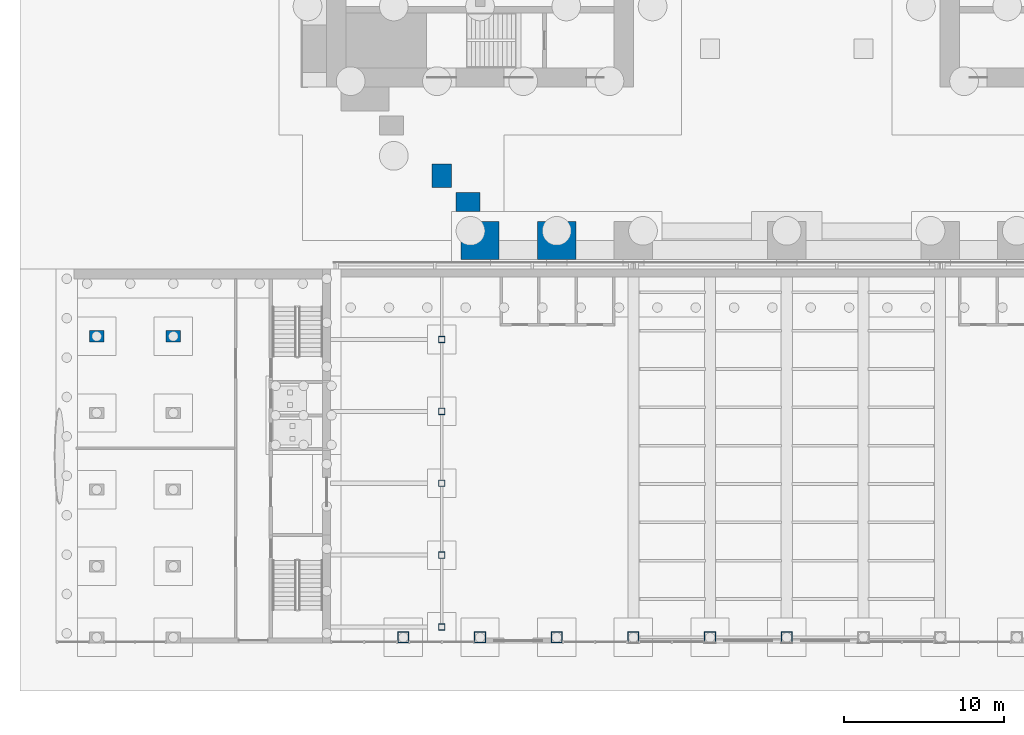
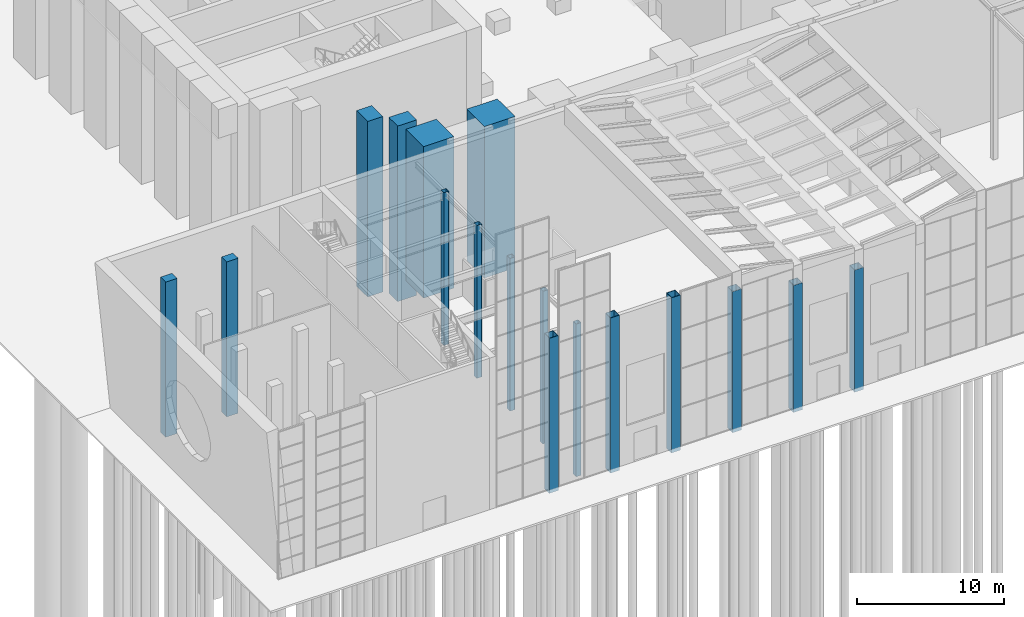
# One storey, part 4 of 58: 17 columns.
"""IFC4 building model written with IfcOpenShell, lengths in metres."""

from ifc_helpers import new_model, si_unit, direction, frame, origin, origin_2d, place, context, subcontext, project, spatial, rectangle, hollow_rectangle, extrude, material, material_profile, profile_set, type_object, element, save


model = new_model("IFC4")

# Units and contexts
model_context = context("Model", 3, precision=1e-05, world=origin(), true_north=direction((0.0, 1.0)))
body_context = subcontext(model_context, "Body", "Model", "MODEL_VIEW")
ifc_project = project(units=[si_unit("LENGTHUNIT", "METRE"), si_unit("AREAUNIT", "SQUARE_METRE"), si_unit("VOLUMEUNIT", "CUBIC_METRE"), si_unit("PLANEANGLEUNIT", "RADIAN"), si_unit("MASSUNIT", "GRAM", prefix="KILO")], contexts=[model_context])

# Site, building, storey
site_placement = place(None, origin())
site = spatial("IfcSite", under=ifc_project, at=site_placement, CompositionType="ELEMENT")
building_placement = place(site_placement, origin())
building = spatial("IfcBuilding", under=site, at=building_placement, Name="Baori Bourse Tower", CompositionType="ELEMENT")
storey_placement = place(building_placement, origin())
storey = spatial("IfcBuildingStorey", under=building, at=storey_placement, Name="L00", CompositionType="ELEMENT", Elevation=0.0)

# Columns
ifc_material_1 = material(Name="Concrete f'c 60 MPa", Category="concrete")
ifc_material_profile_1 = material_profile(ifc_material_1, rectangle(XDim=1.199951171875, YDim=1.5, at=origin_2d()), Name="RC 1200x1500")
ifc_profile_set_1 = profile_set([ifc_material_profile_1], Name="Concrete f'c 60 MPa")
column_type_1 = type_object("IfcColumnType", Name="FN2 Brick pilaster", PredefinedType="PILASTER", material=ifc_profile_set_1)
for number, where, z_axis, x_axis, name in (
    (1, (7.199951171875, 4.050048828125, -2.0), (0.0, 0.0, 1.0), (1.0, 0.0, 0.0), "Brick pilaster L00 24"),
    (2, (8.85009765625, 2.39990234375, -2.0), (0.0, 0.0, 1.0), (0.0, 1.0, 0.0), "Brick pilaster L00 25"),
):
    element("IfcColumn", number, at=place(storey_placement, frame(where, z_axis=z_axis, x_axis=x_axis)), inside=storey, type_object=column_type_1, Name=name, PredefinedType="PILASTER", context=body_context, shape_type="SweptSolid", body=[
        extrude(rectangle(XDim=1.199951171875, YDim=1.5, at=origin_2d()), origin(), (0.0, 0.0, 1.0), 14.60009765625),
    ])
ifc_material_2 = material(Name="Steel A500 Gr C", Category="steel")
ifc_material_profile_2 = material_profile(ifc_material_2, hollow_rectangle(XDim=0.39990234375, YDim=0.39990234375, WallThickness=0.01611328125, OuterFilletRadius=0.031982421875, at=origin_2d()), Name="HSS400x400x16")
ifc_profile_set_2 = profile_set([ifc_material_profile_2], Name="Steel A500 Gr C")
column_type_2 = type_object("IfcColumnType", Name="Gallery column 400", PredefinedType="COLUMN", material=ifc_profile_set_2)
for number, where, z_axis, x_axis, name in (
    (3, (7.199951171875, -24.199951171875, -0.300048828125), (0.0, 0.0, 1.0), (1.0, 0.0, 0.0), "wing/L00/galcol/001"),
    (4, (7.199951171875, -19.699951171875, -0.300048828125), (0.0, 0.0, 1.0), (1.0, 0.0, 0.0), "wing/L00/galcol/002"),
    (5, (7.199951171875, -15.199951171875, -0.300048828125), (0.0, 0.0, 1.0), (1.0, 0.0, 0.0), "wing/L00/galcol/003"),
    (6, (7.199951171875, -10.699951171875, -0.300048828125), (0.0, 0.0, 1.0), (1.0, 0.0, 0.0), "wing/L00/galcol/004"),
    (7, (7.199951171875, -6.199951171875, -0.300048828125), (0.0, 0.0, 1.0), (1.0, 0.0, 0.0), "wing/L00/galcol/005"),
):
    element("IfcColumn", number, at=place(storey_placement, frame(where, z_axis=z_axis, x_axis=x_axis)), inside=storey, type_object=column_type_2, Name=name, PredefinedType="COLUMN", context=body_context, shape_type="SweptSolid", body=[
        extrude(hollow_rectangle(XDim=0.39990234375, YDim=0.39990234375, WallThickness=0.01611328125, OuterFilletRadius=0.031982421875, at=origin_2d()), origin(), (0.0, 0.0, 1.0), 12.699951171875),
    ])
ifc_material_3 = material(Name="Steel A572 Gr 50", Category="steel")
ifc_material_profile_3 = material_profile(ifc_material_3, hollow_rectangle(XDim=0.699951171875, YDim=0.699951171875, WallThickness=0.031982421875, at=origin_2d()), Name="BOX 700x700x32")
ifc_profile_set_3 = profile_set([ifc_material_profile_3], Name="Steel A572 Gr 50")
column_type_3 = type_object("IfcColumnType", Name="Hall box column 700", PredefinedType="COLUMN", material=ifc_profile_set_3)
for number, where, z_axis, x_axis, name in (
    (8, (4.800048828125, -24.85009765625, -0.300048828125), (0.0, 0.0, 1.0), (1.0, 0.0, 0.0), "wing/L00/hallcol/001"),
    (9, (9.60009765625, -24.85009765625, -0.300048828125), (0.0, 0.0, 1.0), (1.0, 0.0, 0.0), "wing/L00/hallcol/002"),
    (10, (14.39990234375, -24.85009765625, -0.300048828125), (0.0, 0.0, 1.0), (1.0, 0.0, 0.0), "wing/L00/hallcol/003"),
):
    element("IfcColumn", number, at=place(storey_placement, frame(where, z_axis=z_axis, x_axis=x_axis)), inside=storey, type_object=column_type_3, Name=name, PredefinedType="COLUMN", context=body_context, shape_type="SweptSolid", body=[
        extrude(hollow_rectangle(XDim=0.699951171875, YDim=0.699951171875, WallThickness=0.031982421875, at=origin_2d()), origin(), (0.0, 0.0, 1.0), 12.900146484375),
    ])
column_1_placement = place(storey_placement, frame((19.199951171875, -24.85009765625, -0.300048828125), z_axis=(0.0, 0.0, 1.0), x_axis=(1.0, 0.0, 0.0)))
element("IfcColumn", 11, at=column_1_placement, inside=storey, type_object=column_type_3, Name="wing/L00/hallcol/004", PredefinedType="COLUMN", context=body_context, shape_type="SweptSolid", body=[
    extrude(hollow_rectangle(XDim=0.699951171875, YDim=0.699951171875, WallThickness=0.031982421875, at=origin_2d()), origin(), (0.0, 0.0, 1.0), 11.729248046875),
])
column_2_placement = place(storey_placement, frame((24.0, -24.85009765625, -0.300048828125), z_axis=(0.0, 0.0, 1.0), x_axis=(1.0, 0.0, 0.0)))
element("IfcColumn", 12, at=column_2_placement, inside=storey, type_object=column_type_3, Name="wing/L00/hallcol/005", PredefinedType="COLUMN", context=body_context, shape_type="SweptSolid", body=[
    extrude(hollow_rectangle(XDim=0.699951171875, YDim=0.699951171875, WallThickness=0.031982421875, at=origin_2d()), origin(), (0.0, 0.0, 1.0), 10.573486328125),
])
column_3_placement = place(storey_placement, frame((28.800048828125, -24.85009765625, -0.300048828125), z_axis=(0.0, 0.0, 1.0), x_axis=(1.0, 0.0, 0.0)))
element("IfcColumn", 13, at=column_3_placement, inside=storey, type_object=column_type_3, Name="wing/L00/hallcol/006", PredefinedType="COLUMN", context=body_context, shape_type="SweptSolid", body=[
    extrude(hollow_rectangle(XDim=0.699951171875, YDim=0.699951171875, WallThickness=0.031982421875, at=origin_2d()), origin(), (0.0, 0.0, 1.0), 10.165283203125),
])
ifc_material_4 = material(Name="Concrete f'c 70 MPa", Category="concrete")
ifc_material_profile_4 = material_profile(ifc_material_4, rectangle(XDim=2.39990234375, YDim=2.39990234375, at=origin_2d()), Name="RC 2400x2400")
ifc_profile_set_4 = profile_set([ifc_material_profile_4], Name="Concrete f'c 70 MPa")
column_type_4 = type_object("IfcColumnType", Name="Perimeter column RC 2400x2400", PredefinedType="COLUMN", material=ifc_profile_set_4)
for number, where, z_axis, x_axis, name in (
    (14, (9.60009765625, 0.0, 0.0), (0.0, 0.0, 1.0), (1.0, 0.0, 0.0), "Perimeter column L00"),
    (15, (14.39990234375, 0.0, 0.0), (0.0, 0.0, 1.0), (1.0, 0.0, 0.0), "Perimeter column L00"),
):
    element("IfcColumn", number, at=place(storey_placement, frame(where, z_axis=z_axis, x_axis=x_axis)), inside=storey, type_object=column_type_4, Name=name, PredefinedType="COLUMN", context=body_context, shape_type="SweptSolid", body=[
        extrude(rectangle(XDim=2.39990234375, YDim=2.39990234375, at=origin_2d()), origin(), (0.0, 0.0, 1.0), 12.60009765625),
    ])
ifc_material_5 = material(Name="Concrete f'c 50 MPa", Category="concrete")
ifc_material_profile_5 = material_profile(ifc_material_5, rectangle(XDim=0.89990234375, YDim=0.699951171875, at=origin_2d()), Name="Wing column 900x700")
ifc_profile_set_5 = profile_set([ifc_material_profile_5], Name="Concrete f'c 50 MPa")
column_type_5 = type_object("IfcColumnType", Name="Wing column 900x700", PredefinedType="COLUMN", material=ifc_profile_set_5)
for number, where, z_axis, x_axis, name in (
    (16, (-14.39990234375, -6.0, -0.300048828125), (0.0, 0.0, 1.0), (1.0, 0.0, 0.0), "wing/L00/Wcol/005"),
    (17, (-9.60009765625, -6.0, -0.300048828125), (0.0, 0.0, 1.0), (1.0, 0.0, 0.0), "wing/L00/Wcol/010"),
):
    element("IfcColumn", number, at=place(storey_placement, frame(where, z_axis=z_axis, x_axis=x_axis)), inside=storey, type_object=column_type_5, Name=name, PredefinedType="COLUMN", context=body_context, shape_type="SweptSolid", body=[
        extrude(rectangle(XDim=0.89990234375, YDim=0.699951171875, at=origin_2d()), origin(), (0.0, 0.0, 1.0), 12.900146484375),
    ])

save(model, "model.ifc")
